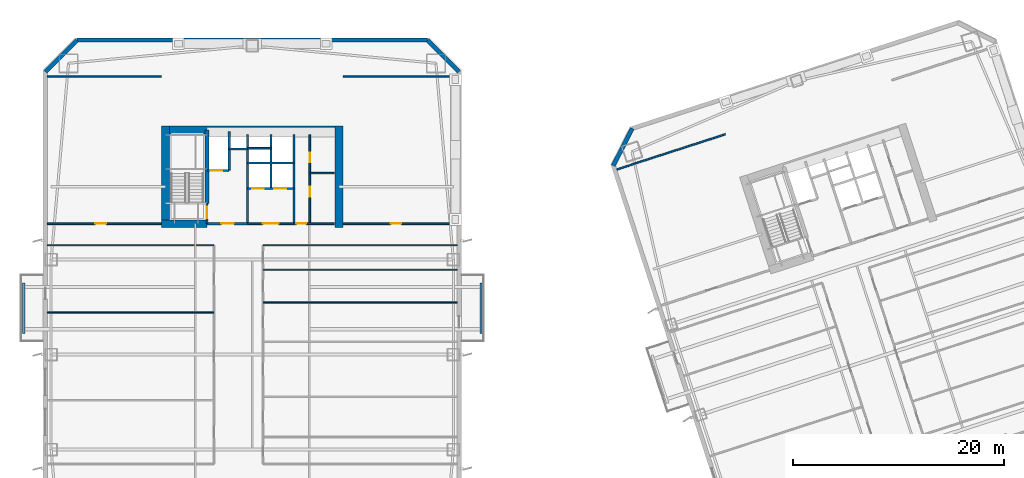
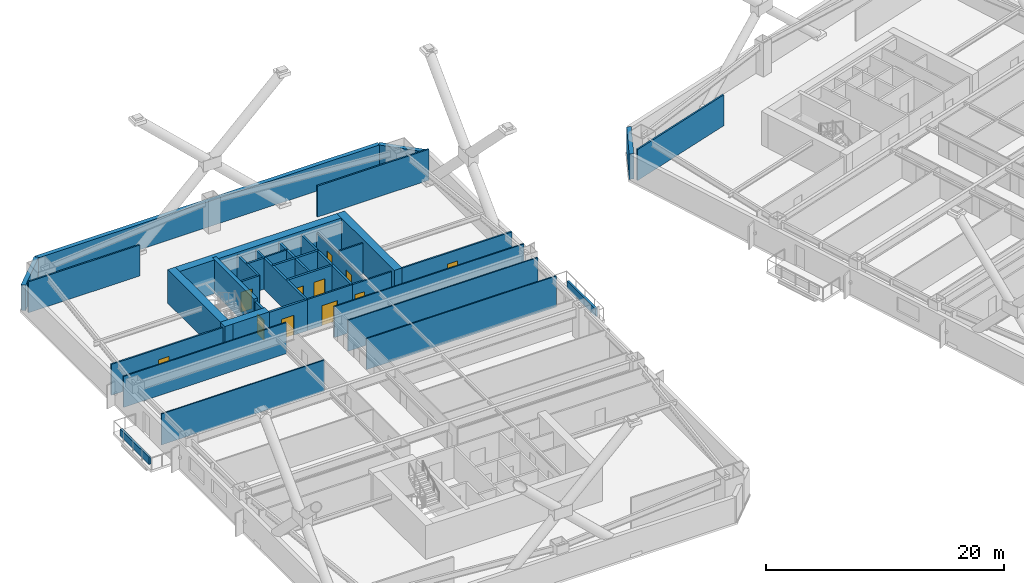
# One storey, part 6 of 18: 36 walls, 11 doors, 11 openings.
"""IFC4 building model written with IfcOpenShell, lengths in metres."""

import ifcopenshell
import ifcopenshell.guid

model = None  # the IFC model being written
_history = None  # IfcOwnerHistory: only IFC2X3 demands one
_inside = {}  # id of a spatial element -> (the spatial element, [elements in it])
_under = {}  # id of a project, library or spatial element -> (it, [spatial elements below it])
_declared = {}  # id of a project -> (the project, [libraries it declares])
_typed = {}  # id of a type object -> (the type object, [elements of that type])
_made_of = {}  # id of a material, layer set ... -> (it, [elements and type objects made of it])


def new_model(schema):
    """Start an empty IFC model of exactly this schema.

    Asked for "IFC4X3", IfcOpenShell would pick the latest addendum, in which some entities
    have other attributes; the version numbers below select the first issue.
    IFC2X3 requires an IfcOwnerHistory on every rooted entity: one is made here for all.
    """
    global model, _history
    if schema == "IFC4X3":
        model = ifcopenshell.file(schema_version=(4, 3, 0, 0))
    else:
        model = ifcopenshell.file(schema=schema)
    _inside.clear()
    _under.clear()
    _declared.clear()
    _typed.clear()
    _made_of.clear()
    _history = None
    if model.schema == "IFC2X3":
        org = make("IfcOrganization", Name="unknown")
        user = make(
            "IfcPersonAndOrganization",
            ThePerson=make("IfcPerson", FamilyName="unknown"),
            TheOrganization=org,
        )
        app = make(
            "IfcApplication",
            ApplicationDeveloper=org,
            Version="unknown",
            ApplicationFullName="unknown",
            ApplicationIdentifier="unknown",
        )
        _history = make(
            "IfcOwnerHistory",
            OwningUser=user,
            OwningApplication=app,
            ChangeAction="ADDED",
            CreationDate=0,
        )
    return model


def make(cls, **values):
    """One entity of the class cls with the attributes given. An attribute that is None is left unset."""
    return model.create_entity(
        cls, **{name: value for name, value in values.items() if value is not None}
    )


def rooted(cls, **values):
    """An entity with a GlobalId (a new one), such as an element, a storey or a relation."""
    return make(cls, GlobalId=ifcopenshell.guid.new(), OwnerHistory=_history, **values)


def si_unit(unit_type, name, prefix=None):
    """IfcSIUnit, for example si_unit("LENGTHUNIT", "METRE", prefix="MILLI")."""
    return make("IfcSIUnit", UnitType=unit_type, Prefix=prefix, Name=name)


def assignment(units):
    """IfcUnitAssignment: the units of a project."""
    return None if units is None else make("IfcUnitAssignment", Units=units)


def point(xyz):
    """IfcCartesianPoint."""
    return None if xyz is None else make("IfcCartesianPoint", Coordinates=xyz)


def direction(xyz):
    """IfcDirection."""
    return None if xyz is None else make("IfcDirection", DirectionRatios=xyz)


def frame(location, z_axis=None, x_axis=None):
    """IfcAxis2Placement3D, a coordinate frame: its origin and axes. An axis left out is left unset."""
    return make(
        "IfcAxis2Placement3D",
        Location=point(location),
        Axis=direction(z_axis),
        RefDirection=direction(x_axis),
    )


def frame_2d(location, x_axis=None):
    """IfcAxis2Placement2D, a coordinate frame in the plane: its origin and x axis."""
    return make(
        "IfcAxis2Placement2D", Location=point(location), RefDirection=direction(x_axis)
    )


def origin():
    """The frame at (0, 0, 0) with its axes left unset."""
    return frame((0.0, 0.0, 0.0))


def place(relative_to, where):
    """IfcLocalPlacement: puts the frame where relative to a parent placement (None: the world)."""
    return make(
        "IfcLocalPlacement", PlacementRelTo=relative_to, RelativePlacement=where
    )


def context(
    kind, dimensions, precision=None, world=None, true_north=None, identifier=None
):
    """IfcGeometricRepresentationContext, for example the 3D "Model" context."""
    return make(
        "IfcGeometricRepresentationContext",
        ContextIdentifier=identifier,
        ContextType=kind,
        CoordinateSpaceDimension=dimensions,
        Precision=precision,
        WorldCoordinateSystem=world,
        TrueNorth=true_north,
    )


def subcontext(parent, identifier, kind, view, scale=None):
    """IfcGeometricRepresentationSubContext, for example "Body" below "Model"."""
    return make(
        "IfcGeometricRepresentationSubContext",
        ContextIdentifier=identifier,
        ContextType=kind,
        ParentContext=parent,
        TargetScale=scale,
        TargetView=view,
    )


def project(units=None, contexts=None):
    """IfcProject with its units and contexts."""
    return rooted(
        "IfcProject",
        Name="project",
        RepresentationContexts=contexts,
        UnitsInContext=assignment(units),
    )


def spatial(cls, under=None, at=None, **own):
    """A site, building, storey or space (cls), placed at a placement, below another one or the project."""
    s = rooted(cls, ObjectPlacement=at, **own)
    if under is not None:
        _under.setdefault(under.id(), (under, []))[1].append(s)
    return s


def profile(cls, at=None, kind="AREA", **sizes):
    """A parametric profile (cls). Its sizes go by their IFC names, for example OverallWidth=200.0."""
    return make(cls, ProfileType=kind, Position=at, **sizes)


def rectangle(**sizes):
    """IfcRectangleProfileDef."""
    return profile("IfcRectangleProfileDef", **sizes)


def extrude(swept, where, along, depth):
    """IfcExtrudedAreaSolid: the profile swept, set in the frame where, extruded along a direction by depth."""
    return make(
        "IfcExtrudedAreaSolid",
        SweptArea=swept,
        Position=where,
        ExtrudedDirection=direction(along),
        Depth=depth,
    )


def shape(context_of_items, identifier, shape_type, items):
    """IfcShapeRepresentation: the items that make up one representation, for example the "Body"."""
    return make(
        "IfcShapeRepresentation",
        ContextOfItems=context_of_items,
        RepresentationIdentifier=identifier,
        RepresentationType=shape_type,
        Items=items,
    )


def material(Name=None, Category=None):
    """IfcMaterial."""
    return make("IfcMaterial", Name=Name, Category=Category)


def layer(
    of_material, thickness, ventilated=None, Name=None, Category=None, Priority=None
):
    """IfcMaterialLayer: one layer of a wall or slab, of a material (None: an air gap)."""
    return make(
        "IfcMaterialLayer",
        Material=of_material,
        LayerThickness=thickness,
        IsVentilated=ventilated,
        Name=Name,
        Category=Category,
        Priority=Priority,
    )


def layer_set(layers, Name=None):
    """IfcMaterialLayerSet."""
    return make("IfcMaterialLayerSet", MaterialLayers=layers, LayerSetName=Name)


def made_of(thing, what):
    """Note that an element or type object is made of a material, layer set ...; save() writes the relation."""
    if what is not None:
        _made_of.setdefault(what.id(), (what, []))[1].append(thing)
    return thing


def type_object(cls, material=None, **own):
    """A type object (cls), such as IfcWallType, which elements share."""
    return made_of(rooted(cls, **own), material)


def element(
    cls,
    number,
    at=None,
    inside=None,
    cuts=None,
    type_object=None,
    material=None,
    context=None,
    identifier="Body",
    shape_type=None,
    held_by="IfcProductDefinitionShape",
    body=None,
    shapes=None,
    **own,
):
    """One element of the class cls, such as IfcWall. Its Tag is "e" and its number.

    at: its placement. inside: the storey or other place that contains it. cuts: it is an
    opening in that element (IfcRelVoidsElement). A single representation is given by context,
    identifier, shape_type and body (its items); several are given by shapes. held_by: the class
    of the entity that holds the representations. save() writes the other relations.
    """
    e = rooted(cls, Tag="e%d" % number, ObjectPlacement=at, **own)
    if body is not None:
        shapes = [shape(context, identifier, shape_type, body)]
    if shapes is not None:
        e.Representation = make(held_by, Representations=shapes)
    if inside is not None:
        _inside.setdefault(inside.id(), (inside, []))[1].append(e)
    if cuts is not None:
        rooted(
            "IfcRelVoidsElement", RelatingBuildingElement=cuts, RelatedOpeningElement=e
        )
    if type_object is not None:
        _typed.setdefault(type_object.id(), (type_object, []))[1].append(e)
    return made_of(e, material)


def fill(opening, filler):
    """IfcRelFillsElement: the door or window that sits in an opening."""
    return rooted(
        "IfcRelFillsElement",
        RelatingOpeningElement=opening,
        RelatedBuildingElement=filler,
    )


def aggregate(whole, parts):
    """IfcRelAggregates: a whole, such as a stair, and the parts it consists of."""
    return rooted("IfcRelAggregates", RelatingObject=whole, RelatedObjects=parts)


def save(model, path):
    """Write the relations noted so far, then the file.

    IfcRelAggregates (storeys below a building ...), IfcRelContainedInSpatialStructure (elements
    in a storey), IfcRelDefinesByType, IfcRelAssociatesMaterial and IfcRelDeclares: one each for
    every whole, place, type object, material and project.
    """
    for whole, parts in _under.values():
        aggregate(whole, parts)
    for where, things in _inside.values():
        rooted(
            "IfcRelContainedInSpatialStructure",
            RelatedElements=things,
            RelatingStructure=where,
        )
    for kind, things in _typed.values():
        rooted("IfcRelDefinesByType", RelatedObjects=things, RelatingType=kind)
    for what, things in _made_of.values():
        rooted("IfcRelAssociatesMaterial", RelatedObjects=things, RelatingMaterial=what)
    for by, libraries in _declared.values():
        rooted("IfcRelDeclares", RelatingContext=by, RelatedDefinitions=libraries)
    model.write(path)


model = new_model("IFC4")

# Units and contexts
model_context = context("Model", 3, precision=1e-05, world=origin(), true_north=direction((0.0, 1.0)))
body_context = subcontext(model_context, "Body", "Model", "MODEL_VIEW")
ifc_project = project(units=[si_unit("LENGTHUNIT", "METRE"), si_unit("AREAUNIT", "SQUARE_METRE"), si_unit("VOLUMEUNIT", "CUBIC_METRE"), si_unit("PLANEANGLEUNIT", "RADIAN"), si_unit("MASSUNIT", "GRAM", prefix="KILO")], contexts=[model_context])

# Site, building, storey
site_placement = place(None, origin())
site = spatial("IfcSite", under=ifc_project, at=site_placement, CompositionType="ELEMENT")
building_placement = place(site_placement, origin())
building = spatial("IfcBuilding", under=site, at=building_placement, Name="Qiaolan Cultural Towers", CompositionType="ELEMENT")
storey_placement = place(building_placement, frame((0.0, 0.0, 57.5)))
storey = spatial("IfcBuildingStorey", under=building, at=storey_placement, Name="L13", CompositionType="ELEMENT", Elevation=57.5)

# Walls
ifc_material_1 = material(Name="Concrete C50", Category="concrete")
ifc_layer_1 = layer(ifc_material_1, 0.35009765625)
ifc_layer_set_1 = layer_set([ifc_layer_1], Name="Concrete C50")
wall_type_1 = type_object("IfcWallType", Name="WL-CORE-350", PredefinedType="SHEAR", material=ifc_layer_set_1)
wall_1_placement = place(storey_placement, frame((25.719970703125, 48.300048828125, 0.0), z_axis=(0.0, 0.0, 1.0), x_axis=(0.0, 1.0, 0.0)))
element("IfcWall", 1, at=wall_1_placement, inside=storey, type_object=wall_type_1, Name="L13 T1-CN Stair Core Dividing Web", PredefinedType="SHEAR", context=body_context, shape_type="SweptSolid", body=[
    extrude(rectangle(XDim=6.97998046875, YDim=0.35009765625, at=frame_2d((3.489990234375, 0.0))), origin(), (0.0, 0.0, 1.0), 3.449951171875),
])
ifc_material_2 = material(Name="Concrete C60", Category="concrete")
ifc_layer_2 = layer(ifc_material_2, 0.75)
ifc_layer_set_2 = layer_set([ifc_layer_2], Name="Concrete C60")
wall_type_2 = type_object("IfcWallType", Name="WL-CORE-750", PredefinedType="SHEAR", material=ifc_layer_set_2)
wall_2_placement = place(storey_placement, frame((21.425048828125, 55.280029296875, 0.0), z_axis=(0.0, 0.0, 1.0), x_axis=(1.0, 0.0, 0.0)))
element("IfcWall", 2, at=wall_2_placement, inside=storey, type_object=wall_type_2, Name="L13 T1-CN Outer Core Shear Wall", PredefinedType="SHEAR", context=body_context, shape_type="SweptSolid", body=[
    extrude(rectangle(XDim=17.14990234375, YDim=0.75, at=frame_2d((8.574951171875, 0.0))), origin(), (0.0, 0.0, 1.0), 3.449951171875),
])
for number, where, z_axis, x_axis, name in (
    (3, (21.800048828125, 46.02490234375, 0.0), (0.0, 0.0, 1.0), (0.0, 1.0, 0.0), "L13 T1-CN West Core Shear Wall"),
    (4, (38.199951171875, 46.02490234375, 0.0), (0.0, 0.0, 1.0), (0.0, 1.0, 0.0), "L13 T1-CN East Core Shear Wall"),
):
    element("IfcWall", number, at=place(storey_placement, frame(where, z_axis=z_axis, x_axis=x_axis)), inside=storey, type_object=wall_type_2, Name=name, PredefinedType="SHEAR", context=body_context, shape_type="SweptSolid", body=[
        extrude(rectangle(XDim=9.630126953125, YDim=0.75, at=frame_2d((4.81494140625, 0.0))), origin(), (0.0, 0.0, 1.0), 3.449951171875),
    ])
wall_3_placement = place(storey_placement, frame((21.425048828125, 46.39990234375, 0.0), z_axis=(0.0, 0.0, 1.0), x_axis=(1.0, 0.0, 0.0)))
element("IfcWall", 5, at=wall_3_placement, inside=storey, type_object=wall_type_2, Name="L13 T1-CN Stair Front Shear Wall", PredefinedType="SHEAR", context=body_context, shape_type="SweptSolid", body=[
    extrude(rectangle(XDim=4.294921875, YDim=0.75, at=frame_2d((2.1474609375, 0.0))), origin(), (0.0, 0.0, 1.0), 3.449951171875),
])
ifc_material_3 = material(Name="Precast Concrete C50 Honed Stone Pier", Category="masonry")
ifc_layer_3 = layer(ifc_material_3, 0.39990234375)
ifc_layer_set_3 = layer_set([ifc_layer_3], Name="Precast Concrete C50 Honed Stone Pier")
wall_type_3 = type_object("IfcWallType", Name="WL-EXT-PIER-400", PredefinedType="SOLIDWALL", material=ifc_layer_set_3)
wall_4_placement = place(storey_placement, frame((10.39990234375, 60.800048828125, 0.0), z_axis=(0.0, 0.0, 1.0), x_axis=(0.707106781187, 0.707106781187, 0.0)))
element("IfcWall", 6, at=wall_4_placement, inside=storey, type_object=wall_type_3, Name="L13 West Tower Precast Pier Facade Wall F2", PredefinedType="SOLIDWALL", context=body_context, shape_type="SweptSolid", body=[
    extrude(rectangle(XDim=4.24267578125, YDim=0.39990234375, at=frame_2d((2.121337890625, 0.0))), origin(), (0.0, 0.0, 1.0), 2.610107421875),
])
wall_5_placement = place(storey_placement, frame((13.39990234375, 63.800048828125, 0.0), z_axis=(0.0, 0.0, 1.0), x_axis=(1.0, 0.0, 0.0)))
element("IfcWall", 7, at=wall_5_placement, inside=storey, type_object=wall_type_3, Name="L13 West Tower Precast Pier Facade Wall F3", PredefinedType="SOLIDWALL", context=body_context, shape_type="SweptSolid", body=[
    extrude(rectangle(XDim=33.2001953125, YDim=0.39990234375, at=frame_2d((16.60009765625, 0.0))), origin(), (0.0, 0.0, 1.0), 2.610107421875),
])
wall_6_placement = place(storey_placement, frame((46.60009765625, 63.800048828125, 0.0), z_axis=(0.0, 0.0, 1.0), x_axis=(0.707106781187, -0.707106781187, 0.0)))
element("IfcWall", 8, at=wall_6_placement, inside=storey, type_object=wall_type_3, Name="L13 West Tower Precast Pier Facade Wall F4", PredefinedType="SOLIDWALL", context=body_context, shape_type="SweptSolid", body=[
    extrude(rectangle(XDim=4.24267578125, YDim=0.39990234375, at=frame_2d((2.121337890625, 0.0))), origin(), (0.0, 0.0, 1.0), 2.610107421875),
])
wall_7_placement = place(storey_placement, frame((64.20458984375, 51.905029296875, 0.0), z_axis=(0.0, 0.0, 1.0), x_axis=(0.453958106755, 0.891023028497, 0.0)))
element("IfcWall", 9, at=wall_7_placement, inside=storey, type_object=wall_type_3, Name="L13 East Tower Precast Pier Facade Wall F2", PredefinedType="SOLIDWALL", context=body_context, shape_type="SweptSolid", body=[
    extrude(rectangle(XDim=3.9599609375, YDim=0.39990234375, at=frame_2d((1.97998046875, 0.0))), origin(), (0.0, 0.0, 1.0), 2.610107421875),
])

# Wall, opening, door
ifc_material_4 = material(Name="Concrete C35 Fire Wall", Category="concrete")
ifc_layer_4 = layer(ifc_material_4, 0.199951171875)
ifc_layer_set_4 = layer_set([ifc_layer_4], Name="Concrete C35 Fire Wall")
wall_type_4 = type_object("IfcWallType", Name="WL-FIRE-200", PredefinedType="PARTITIONING", material=ifc_layer_set_4)
wall_8_placement = place(storey_placement, frame((25.719970703125, 46.39990234375, 0.0), z_axis=(0.0, 0.0, 1.0), x_axis=(0.0, 1.0, 0.0)))
wall_8 = element("IfcWall", 10, at=wall_8_placement, inside=storey, type_object=wall_type_4, Name="L13 T1-CN Smokeproof Stair Entry Wall", PredefinedType="PARTITIONING", context=body_context, shape_type="SweptSolid", body=[
    extrude(rectangle(XDim=1.900146484375, YDim=0.199951171875, at=frame_2d((0.9501953125, 0.0))), origin(), (0.0, 0.0, 1.0), 3.175048828125),
])
opening_1_placement = place(wall_8_placement, frame((0.52001953125, 0.0, 0.0)))
opening_1 = element("IfcOpeningElement", 11, at=opening_1_placement, cuts=wall_8, Name="Opening FD-04", PredefinedType="OPENING", context=body_context, shape_type="SweptSolid", body=[
    extrude(rectangle(XDim=1.10009765625, YDim=2.050048828125, at=frame_2d((0.550048828125, 1.02490234375))), frame((0.0, 0.10986328125, 0.0), z_axis=(0.0, -1.0, 0.0), x_axis=(1.0, 0.0, 0.0)), (0.0, 0.0, 1.0), 0.219970703125),
])
ifc_material_5 = material(Name="Galvanized Steel Command Fire Door", Category="steel")
door_type_1 = type_object("IfcDoorType", Name="DR-FD90-1100", OperationType="NOTDEFINED", PredefinedType="DOOR", material=ifc_material_5)
door_1_placement = place(opening_1_placement, origin())
door_1 = element("IfcDoor", 12, at=door_1_placement, inside=storey, type_object=door_type_1, Name="L13 ST-W2 Smokeproof Stair Fire Door", OperationType="SINGLE_SWING_LEFT", OverallHeight=2.050048828125, OverallWidth=1.10009765625, PredefinedType="DOOR", context=body_context, shape_type="SweptSolid", body=[
    extrude(rectangle(XDim=1.10009765625, YDim=2.050048828125, at=frame_2d((0.550048828125, 1.02490234375))), frame((0.0, 0.02490234375, 0.0), z_axis=(0.0, -1.0, 0.0), x_axis=(1.0, 0.0, 0.0)), (0.0, 0.0, 1.0), 0.050048828125),
])
fill(opening_1, door_1)

# Wall
wall_9_placement = place(storey_placement, frame((29.550048828125, 46.39990234375, 0.0), z_axis=(0.0, 0.0, 1.0), x_axis=(0.0, 1.0, 0.0)))
element("IfcWall", 13, at=wall_9_placement, inside=storey, type_object=wall_type_4, Name="L13 T1-CN Firefighting Zone Wall", PredefinedType="PARTITIONING", context=body_context, shape_type="SweptSolid", body=[
    extrude(rectangle(XDim=8.43017578125, YDim=0.199951171875, at=frame_2d((4.215087890625, 0.0))), origin(), (0.0, 0.0, 1.0), 3.175048828125),
])

# Wall, opening, door
wall_10_placement = place(storey_placement, frame((25.719970703125, 46.39990234375, 0.0), z_axis=(0.0, 0.0, 1.0), x_axis=(1.0, 0.0, 0.0)))
wall_10 = element("IfcWall", 14, at=wall_10_placement, inside=storey, type_object=wall_type_4, Name="L13 T1-CN Firefighting Lobby Front Wall", PredefinedType="PARTITIONING", context=body_context, shape_type="SweptSolid", body=[
    extrude(rectangle(XDim=3.830078125, YDim=0.199951171875, at=frame_2d((1.9150390625, 0.0))), origin(), (0.0, 0.0, 1.0), 3.175048828125),
])
opening_2_placement = place(wall_10_placement, frame((1.35009765625, 0.0, 0.0)))
opening_2 = element("IfcOpeningElement", 15, at=opening_2_placement, cuts=wall_10, Name="Opening FD-03", PredefinedType="OPENING", context=body_context, shape_type="SweptSolid", body=[
    extrude(rectangle(XDim=1.199951171875, YDim=2.050048828125, at=frame_2d((0.60009765625, 1.02490234375))), frame((0.0, 0.10986328125, 0.0), z_axis=(0.0, -1.0, 0.0), x_axis=(1.0, 0.0, 0.0)), (0.0, 0.0, 1.0), 0.219970703125),
])
ifc_material_6 = material(Name="Galvanized Steel Smokeproof Lobby Fire Door", Category="steel")
door_type_2 = type_object("IfcDoorType", Name="DR-FD90-1200", OperationType="NOTDEFINED", PredefinedType="DOOR", material=ifc_material_6)
door_2_placement = place(opening_2_placement, origin())
door_2 = element("IfcDoor", 16, at=door_2_placement, inside=storey, type_object=door_type_2, Name="L13 FFL-W2 Firefighting Lobby Fire Door", OperationType="SINGLE_SWING_LEFT", OverallHeight=2.050048828125, OverallWidth=1.199951171875, PredefinedType="DOOR", context=body_context, shape_type="SweptSolid", body=[
    extrude(rectangle(XDim=1.199951171875, YDim=2.050048828125, at=frame_2d((0.60009765625, 1.02490234375))), frame((0.0, 0.02490234375, 0.0), z_axis=(0.0, -1.0, 0.0), x_axis=(1.0, 0.0, 0.0)), (0.0, 0.0, 1.0), 0.050048828125),
])
fill(opening_2, door_2)

wall_11_placement = place(storey_placement, frame((25.719970703125, 51.449951171875, 0.0), z_axis=(0.0, 0.0, 1.0), x_axis=(1.0, 0.0, 0.0)))
wall_11 = element("IfcWall", 17, at=wall_11_placement, inside=storey, type_object=wall_type_4, Name="L13 T1-CN Firefighting Shaft Front Wall", PredefinedType="PARTITIONING", context=body_context, shape_type="SweptSolid", body=[
    extrude(rectangle(XDim=2.10009765625, YDim=0.199951171875, at=frame_2d((1.050048828125, 0.0))), origin(), (0.0, 0.0, 1.0), 3.175048828125),
])
opening_3_placement = place(wall_11_placement, frame((0.35009765625, 0.0, 0.0)))
opening_3 = element("IfcOpeningElement", 18, at=opening_3_placement, cuts=wall_11, Name="Opening LD-01", PredefinedType="OPENING", context=body_context, shape_type="SweptSolid", body=[
    extrude(rectangle(XDim=1.10009765625, YDim=2.050048828125, at=frame_2d((0.550048828125, 1.02490234375))), frame((0.0, 0.10986328125, 0.0), z_axis=(0.0, -1.0, 0.0), x_axis=(1.0, 0.0, 0.0)), (0.0, 0.0, 1.0), 0.219970703125),
])
ifc_material_7 = material(Name="Brushed Stainless Steel S30408 Centre-Parting Lift Landing Door", Category="steel")
door_type_3 = type_object("IfcDoorType", Name="DR-LIFT-1100", OperationType="NOTDEFINED", PredefinedType="DOOR", material=ifc_material_7)
door_3_placement = place(opening_3_placement, origin())
door_3 = element("IfcDoor", 19, at=door_3_placement, inside=storey, type_object=door_type_3, Name="L13 FFL-W2 Firefighting Lift Landing Door", OperationType="DOUBLE_DOOR_SLIDING", OverallHeight=2.050048828125, OverallWidth=1.10009765625, PredefinedType="DOOR", context=body_context, shape_type="SweptSolid", body=[
    extrude(rectangle(XDim=1.10009765625, YDim=2.050048828125, at=frame_2d((0.550048828125, 1.02490234375))), frame((0.0, 0.02490234375, 0.0), z_axis=(0.0, -1.0, 0.0), x_axis=(1.0, 0.0, 0.0)), (0.0, 0.0, 1.0), 0.050048828125),
])
fill(opening_3, door_3)

# Walls
wall_12_placement = place(storey_placement, frame((27.820068359375, 51.449951171875, 0.0), z_axis=(0.0, 0.0, 1.0), x_axis=(0.0, 1.0, 0.0)))
element("IfcWall", 20, at=wall_12_placement, inside=storey, type_object=wall_type_4, Name="L13 T1-CN Firefighting Hoistway East Wall", PredefinedType="PARTITIONING", context=body_context, shape_type="SweptSolid", body=[
    extrude(rectangle(XDim=3.699951171875, YDim=0.199951171875, at=frame_2d((1.85009765625, 0.0))), origin(), (0.0, 0.0, 1.0), 3.175048828125),
])
wall_13_placement = place(storey_placement, frame((27.820068359375, 53.47998046875, 0.0), z_axis=(0.0, 0.0, 1.0), x_axis=(1.0, 0.0, 0.0)))
element("IfcWall", 21, at=wall_13_placement, inside=storey, type_object=wall_type_4, Name="L13 T1-CN Pressurization Shaft Front Wall", PredefinedType="PARTITIONING", context=body_context, shape_type="SweptSolid", body=[
    extrude(rectangle(XDim=1.72998046875, YDim=0.199951171875, at=frame_2d((0.864990234375, 0.0))), origin(), (0.0, 0.0, 1.0), 3.175048828125),
])
wall_14_placement = place(storey_placement, frame((33.949951171875, 46.39990234375, 0.0), z_axis=(0.0, 0.0, 1.0), x_axis=(0.0, 1.0, 0.0)))
element("IfcWall", 22, at=wall_14_placement, inside=storey, type_object=wall_type_4, Name="L13 T1-CN Lift Core East Wall", PredefinedType="PARTITIONING", context=body_context, shape_type="SweptSolid", body=[
    extrude(rectangle(XDim=8.43017578125, YDim=0.199951171875, at=frame_2d((4.215087890625, 0.0))), origin(), (0.0, 0.0, 1.0), 3.175048828125),
])

# Wall, openings, doors
wall_15_placement = place(storey_placement, frame((29.550048828125, 49.719970703125, 0.0), z_axis=(0.0, 0.0, 1.0), x_axis=(1.0, 0.0, 0.0)))
wall_15 = element("IfcWall", 23, at=wall_15_placement, inside=storey, type_object=wall_type_4, Name="L13 T1-CN Passenger Lift Shaft Front Wall", PredefinedType="PARTITIONING", context=body_context, shape_type="SweptSolid", body=[
    extrude(rectangle(XDim=4.39990234375, YDim=0.199951171875, at=frame_2d((2.199951171875, 0.0))), origin(), (0.0, 0.0, 1.0), 3.175048828125),
])
opening_4_placement = place(wall_15_placement, frame((0.449951171875, 0.0, 0.0)))
opening_4 = element("IfcOpeningElement", 24, at=opening_4_placement, cuts=wall_15, Name="Opening LD-01", PredefinedType="OPENING", context=body_context, shape_type="SweptSolid", body=[
    extrude(rectangle(XDim=1.10009765625, YDim=2.050048828125, at=frame_2d((0.550048828125, 1.02490234375))), frame((0.0, 0.10986328125, 0.0), z_axis=(0.0, -1.0, 0.0), x_axis=(1.0, 0.0, 0.0)), (0.0, 0.0, 1.0), 0.219970703125),
])
opening_5_placement = place(wall_15_placement, frame((2.550048828125, 0.0, 0.0)))
opening_5 = element("IfcOpeningElement", 25, at=opening_5_placement, cuts=wall_15, Name="Opening LD-01", PredefinedType="OPENING", context=body_context, shape_type="SweptSolid", body=[
    extrude(rectangle(XDim=1.10009765625, YDim=2.050048828125, at=frame_2d((0.550048828125, 1.02490234375))), frame((0.0, 0.10986328125, 0.0), z_axis=(0.0, -1.0, 0.0), x_axis=(1.0, 0.0, 0.0)), (0.0, 0.0, 1.0), 0.219970703125),
])
door_4_placement = place(opening_4_placement, origin())
door_4 = element("IfcDoor", 26, at=door_4_placement, inside=storey, type_object=door_type_3, Name="L13 Passenger Lift 1 Landing Door", OperationType="DOUBLE_DOOR_SLIDING", OverallHeight=2.050048828125, OverallWidth=1.10009765625, PredefinedType="DOOR", context=body_context, shape_type="SweptSolid", body=[
    extrude(rectangle(XDim=1.10009765625, YDim=2.050048828125, at=frame_2d((0.550048828125, 1.02490234375))), frame((0.0, 0.02490234375, 0.0), z_axis=(0.0, -1.0, 0.0), x_axis=(1.0, 0.0, 0.0)), (0.0, 0.0, 1.0), 0.050048828125),
])
fill(opening_4, door_4)
door_5_placement = place(opening_5_placement, origin())
door_5 = element("IfcDoor", 27, at=door_5_placement, inside=storey, type_object=door_type_3, Name="L13 Passenger Lift 2 Landing Door", OperationType="DOUBLE_DOOR_SLIDING", OverallHeight=2.050048828125, OverallWidth=1.10009765625, PredefinedType="DOOR", context=body_context, shape_type="SweptSolid", body=[
    extrude(rectangle(XDim=1.10009765625, YDim=2.050048828125, at=frame_2d((0.550048828125, 1.02490234375))), frame((0.0, 0.02490234375, 0.0), z_axis=(0.0, -1.0, 0.0), x_axis=(1.0, 0.0, 0.0)), (0.0, 0.0, 1.0), 0.050048828125),
])
fill(opening_5, door_5)

# Walls
wall_16_placement = place(storey_placement, frame((31.780029296875, 49.719970703125, 0.0), z_axis=(0.0, 0.0, 1.0), x_axis=(0.0, 1.0, 0.0)))
element("IfcWall", 28, at=wall_16_placement, inside=storey, type_object=wall_type_4, Name="L13 T1-CN Lift Shaft Divider Wall", PredefinedType="PARTITIONING", context=body_context, shape_type="SweptSolid", body=[
    extrude(rectangle(XDim=5.110107421875, YDim=0.199951171875, at=frame_2d((2.55517578125, 0.0))), origin(), (0.0, 0.0, 1.0), 3.175048828125),
])
wall_17_placement = place(storey_placement, frame((29.550048828125, 52.14990234375, 0.0), z_axis=(0.0, 0.0, 1.0), x_axis=(1.0, 0.0, 0.0)))
element("IfcWall", 29, at=wall_17_placement, inside=storey, type_object=wall_type_4, Name="L13 T1-CN Passenger Lift Shaft Back Wall", PredefinedType="PARTITIONING", context=body_context, shape_type="SweptSolid", body=[
    extrude(rectangle(XDim=4.39990234375, YDim=0.199951171875, at=frame_2d((2.199951171875, 0.0))), origin(), (0.0, 0.0, 1.0), 3.175048828125),
])
ifc_material_8 = material(Name="Gypsum Stud Acoustic Partition", Category="gypsum")
ifc_layer_5 = layer(ifc_material_8, 0.1201171875)
ifc_layer_set_5 = layer_set([ifc_layer_5], Name="Gypsum Stud Acoustic Partition")
wall_type_5 = type_object("IfcWallType", Name="WL-PART-120", PredefinedType="PARTITIONING", material=ifc_layer_set_5)
wall_18_placement = place(storey_placement, frame((10.60009765625, 44.35009765625, 0.0), z_axis=(0.0, 0.0, 1.0), x_axis=(1.0, 0.0, 0.0)))
element("IfcWall", 30, at=wall_18_placement, inside=storey, type_object=wall_type_5, Name="L13 T1 North Corridor Left Wall", PredefinedType="PARTITIONING", context=body_context, shape_type="SweptSolid", body=[
    extrude(rectangle(XDim=15.77490234375, YDim=0.1201171875, at=frame_2d((7.887451171875, 0.0))), origin(), (0.0, 0.0, 1.0), 3.175048828125),
])
wall_19_placement = place(storey_placement, frame((31.02490234375, 44.35009765625, 0.0), z_axis=(0.0, 0.0, 1.0), x_axis=(1.0, 0.0, 0.0)))
element("IfcWall", 31, at=wall_19_placement, inside=storey, type_object=wall_type_5, Name="L13 T1 North Corridor Right Wall", PredefinedType="PARTITIONING", context=body_context, shape_type="SweptSolid", body=[
    extrude(rectangle(XDim=18.375, YDim=0.1201171875, at=frame_2d((9.1875, 0.0))), origin(), (0.0, 0.0, 1.0), 3.175048828125),
])
wall_20_placement = place(storey_placement, frame((10.60009765625, 38.0, 0.0), z_axis=(0.0, 0.0, 1.0), x_axis=(1.0, 0.0, 0.0)))
element("IfcWall", 32, at=wall_20_placement, inside=storey, type_object=wall_type_5, Name="L13 T1 West Partition 2", PredefinedType="PARTITIONING", context=body_context, shape_type="SweptSolid", body=[
    extrude(rectangle(XDim=15.77490234375, YDim=0.1201171875, at=frame_2d((7.887451171875, 0.0))), origin(), (0.0, 0.0, 1.0), 3.175048828125),
])
for number, where, z_axis, x_axis, name in (
    (33, (31.02490234375, 38.93603515625, 0.0), (0.0, 0.0, 1.0), (1.0, 0.0, 0.0), "L13 T1 East Partition 4"),
    (34, (31.02490234375, 42.041015625, 0.0), (0.0, 0.0, 1.0), (1.0, 0.0, 0.0), "L13 T1 East Partition 5"),
):
    element("IfcWall", number, at=place(storey_placement, frame(where, z_axis=z_axis, x_axis=x_axis)), inside=storey, type_object=wall_type_5, Name=name, PredefinedType="PARTITIONING", context=body_context, shape_type="SweptSolid", body=[
        extrude(rectangle(XDim=18.375, YDim=0.1201171875, at=frame_2d((9.1875, 0.0))), origin(), (0.0, 0.0, 1.0), 3.175048828125),
    ])

# Wall, opening, door
ifc_material_9 = material(Name="Autoclaved Aerated Concrete Block B06", Category="concrete")
ifc_layer_6 = layer(ifc_material_9, 0.14990234375)
ifc_layer_set_6 = layer_set([ifc_layer_6], Name="Autoclaved Aerated Concrete Block B06")
wall_type_6 = type_object("IfcWallType", Name="WL-PART-150", PredefinedType="PARTITIONING", material=ifc_layer_set_6)
wall_21_placement = place(storey_placement, frame((29.550048828125, 46.39990234375, 0.0), z_axis=(0.0, 0.0, 1.0), x_axis=(1.0, 0.0, 0.0)))
wall_21 = element("IfcWall", 35, at=wall_21_placement, inside=storey, type_object=wall_type_6, Name="L13 T1-CN Passenger Lift Lobby Front Wall", PredefinedType="PARTITIONING", context=body_context, shape_type="SweptSolid", body=[
    extrude(rectangle(XDim=4.39990234375, YDim=0.14990234375, at=frame_2d((2.199951171875, 0.0))), origin(), (0.0, 0.0, 1.0), 3.175048828125),
])
opening_6_placement = place(wall_21_placement, frame((1.449951171875, 0.0, 0.0)))
opening_6 = element("IfcOpeningElement", 36, at=opening_6_placement, cuts=wall_21, Name="Opening FD-05", PredefinedType="OPENING", context=body_context, shape_type="SweptSolid", body=[
    extrude(rectangle(XDim=1.5, YDim=2.050048828125, at=frame_2d((0.75, 1.02490234375))), frame((0.0, 0.0849609375, 0.0), z_axis=(0.0, -1.0, 0.0), x_axis=(1.0, 0.0, 0.0)), (0.0, 0.0, 1.0), 0.169921875),
])
ifc_material_10 = material(Name="Painted Steel Lift Lobby Fire Door", Category="steel")
door_type_4 = type_object("IfcDoorType", Name="DR-FD60-1500", OperationType="NOTDEFINED", PredefinedType="DOOR", material=ifc_material_10)
door_6_placement = place(opening_6_placement, origin())
door_6 = element("IfcDoor", 37, at=door_6_placement, inside=storey, type_object=door_type_4, Name="L13 Passenger Lift Lobby Entrance", OperationType="SINGLE_SWING_LEFT", OverallHeight=2.050048828125, OverallWidth=1.5, PredefinedType="DOOR", context=body_context, shape_type="SweptSolid", body=[
    extrude(rectangle(XDim=1.5, YDim=2.050048828125, at=frame_2d((0.75, 1.02490234375))), frame((0.0, 0.02490234375, 0.0), z_axis=(0.0, -1.0, 0.0), x_axis=(1.0, 0.0, 0.0)), (0.0, 0.0, 1.0), 0.050048828125),
])
fill(opening_6, door_6)

# Wall
wall_22_placement = place(storey_placement, frame((29.550048828125, 53.550048828125, 0.0), z_axis=(0.0, 0.0, 1.0), x_axis=(1.0, 0.0, 0.0)))
element("IfcWall", 38, at=wall_22_placement, inside=storey, type_object=wall_type_6, Name="L13 T1-CN Core Rear Riser Split", PredefinedType="PARTITIONING", context=body_context, shape_type="SweptSolid", body=[
    extrude(rectangle(XDim=2.22998046875, YDim=0.14990234375, at=frame_2d((1.114990234375, 0.0))), origin(), (0.0, 0.0, 1.0), 3.175048828125),
])

# Wall, opening, door
wall_23_placement = place(storey_placement, frame((33.949951171875, 46.39990234375, 0.0), z_axis=(0.0, 0.0, 1.0), x_axis=(1.0, 0.0, 0.0)))
wall_23 = element("IfcWall", 39, at=wall_23_placement, inside=storey, type_object=wall_type_6, Name="L13 T1-CN Sanitary Core Front Wall", PredefinedType="PARTITIONING", context=body_context, shape_type="SweptSolid", body=[
    extrude(rectangle(XDim=3.800048828125, YDim=0.14990234375, at=frame_2d((1.89990234375, 0.0))), origin(), (0.0, 0.0, 1.0), 3.175048828125),
])
opening_7_placement = place(wall_23_placement, frame((0.219970703125, 0.0, 0.0)))
opening_7 = element("IfcOpeningElement", 40, at=opening_7_placement, cuts=wall_23, Name="Opening ID-05", PredefinedType="OPENING", context=body_context, shape_type="SweptSolid", body=[
    extrude(rectangle(XDim=0.949951171875, YDim=2.050048828125, at=frame_2d((0.47509765625, 1.02490234375))), frame((0.0, 0.0849609375, 0.0), z_axis=(0.0, -1.0, 0.0), x_axis=(1.0, 0.0, 0.0)), (0.0, 0.0, 1.0), 0.169921875),
])
ifc_material_11 = material(Name="Fire-Rated Laminate Accessible Core Door", Category="timber")
door_type_5 = type_object("IfcDoorType", Name="DR-INT-950", OperationType="NOTDEFINED", PredefinedType="DOOR", material=ifc_material_11)
door_7_placement = place(opening_7_placement, origin())
door_7 = element("IfcDoor", 41, at=door_7_placement, inside=storey, type_object=door_type_5, Name="L13 Sanitary Lobby Door", OperationType="SINGLE_SWING_LEFT", OverallHeight=2.050048828125, OverallWidth=0.949951171875, PredefinedType="DOOR", context=body_context, shape_type="SweptSolid", body=[
    extrude(rectangle(XDim=0.949951171875, YDim=2.050048828125, at=frame_2d((0.47509765625, 1.02490234375))), frame((0.0, 0.02490234375, 0.0), z_axis=(0.0, -1.0, 0.0), x_axis=(1.0, 0.0, 0.0)), (0.0, 0.0, 1.0), 0.050048828125),
])
fill(opening_7, door_7)

# Wall, openings, doors
wall_24_placement = place(storey_placement, frame((35.449951171875, 46.39990234375, 0.0), z_axis=(0.0, 0.0, 1.0), x_axis=(0.0, 1.0, 0.0)))
wall_24 = element("IfcWall", 42, at=wall_24_placement, inside=storey, type_object=wall_type_6, Name="L13 T1-CN Washroom Split Wall", PredefinedType="PARTITIONING", context=body_context, shape_type="SweptSolid", body=[
    extrude(rectangle(XDim=8.43017578125, YDim=0.14990234375, at=frame_2d((4.215087890625, 0.0))), origin(), (0.0, 0.0, 1.0), 2.81494140625),
])
opening_8_placement = place(wall_24_placement, frame((2.550048828125, 0.0, 0.0)))
opening_8 = element("IfcOpeningElement", 43, at=opening_8_placement, cuts=wall_24, Name="Opening ID-05", PredefinedType="OPENING", context=body_context, shape_type="SweptSolid", body=[
    extrude(rectangle(XDim=0.949951171875, YDim=2.050048828125, at=frame_2d((0.47509765625, 1.02490234375))), frame((0.0, 0.0849609375, 0.0), z_axis=(0.0, -1.0, 0.0), x_axis=(1.0, 0.0, 0.0)), (0.0, 0.0, 1.0), 0.169921875),
])
opening_9_placement = place(wall_24_placement, frame((5.800048828125, 0.0, 0.0)))
opening_9 = element("IfcOpeningElement", 44, at=opening_9_placement, cuts=wall_24, Name="Opening ID-06", PredefinedType="OPENING", context=body_context, shape_type="SweptSolid", body=[
    extrude(rectangle(XDim=0.89990234375, YDim=2.050048828125, at=frame_2d((0.449951171875, 1.02490234375))), frame((0.0, 0.0849609375, 0.0), z_axis=(0.0, -1.0, 0.0), x_axis=(1.0, 0.0, 0.0)), (0.0, 0.0, 1.0), 0.169921875),
])
ifc_material_12 = material(Name="Fire-Rated Laminate Core Service Door", Category="timber")
door_type_6 = type_object("IfcDoorType", Name="DR-INT-900", OperationType="NOTDEFINED", PredefinedType="DOOR", material=ifc_material_12)
door_8_placement = place(opening_9_placement, origin())
door_8 = element("IfcDoor", 45, at=door_8_placement, inside=storey, type_object=door_type_6, Name="L13 First-Aid Room Door", OperationType="SINGLE_SWING_RIGHT", OverallHeight=2.050048828125, OverallWidth=0.89990234375, PredefinedType="DOOR", context=body_context, shape_type="SweptSolid", body=[
    extrude(rectangle(XDim=0.89990234375, YDim=2.050048828125, at=frame_2d((0.449951171875, 1.02490234375))), frame((0.0, 0.02490234375, 0.0), z_axis=(0.0, -1.0, 0.0), x_axis=(1.0, 0.0, 0.0)), (0.0, 0.0, 1.0), 0.050048828125),
])
fill(opening_9, door_8)
door_9_placement = place(opening_8_placement, origin())
door_9 = element("IfcDoor", 46, at=door_9_placement, inside=storey, type_object=door_type_5, Name="L13 Accessible Washroom Door", OperationType="SINGLE_SWING_LEFT", OverallHeight=2.050048828125, OverallWidth=0.949951171875, PredefinedType="DOOR", context=body_context, shape_type="SweptSolid", body=[
    extrude(rectangle(XDim=0.949951171875, YDim=2.050048828125, at=frame_2d((0.47509765625, 1.02490234375))), frame((0.0, 0.02490234375, 0.0), z_axis=(0.0, -1.0, 0.0), x_axis=(1.0, 0.0, 0.0)), (0.0, 0.0, 1.0), 0.050048828125),
])
fill(opening_8, door_9)

# Walls
wall_25_placement = place(storey_placement, frame((35.449951171875, 51.199951171875, 0.0), z_axis=(0.0, 0.0, 1.0), x_axis=(1.0, 0.0, 0.0)))
element("IfcWall", 47, at=wall_25_placement, inside=storey, type_object=wall_type_6, Name="L13 T1-CN First-Aid Wall", PredefinedType="PARTITIONING", context=body_context, shape_type="SweptSolid", body=[
    extrude(rectangle(XDim=2.300048828125, YDim=0.14990234375, at=frame_2d((1.14990234375, 0.0))), origin(), (0.0, 0.0, 1.0), 3.175048828125),
])
wall_26_placement = place(storey_placement, frame((10.60009765625, 60.35009765625, 0.0), z_axis=(0.0, 0.0, 1.0), x_axis=(1.0, 0.0, 0.0)))
element("IfcWall", 48, at=wall_26_placement, inside=storey, type_object=wall_type_6, Name="L13 T1 Flank Wall FLK-NW", PredefinedType="PARTITIONING", context=body_context, shape_type="SweptSolid", body=[
    extrude(rectangle(XDim=10.7998046875, YDim=0.14990234375, at=frame_2d((5.39990234375, 0.0))), origin(), (0.0, 0.0, 1.0), 3.175048828125),
])

# Wall, opening, door
wall_27_placement = place(storey_placement, frame((10.60009765625, 46.39990234375, 0.0), z_axis=(0.0, 0.0, 1.0), x_axis=(1.0, 0.0, 0.0)))
wall_27 = element("IfcWall", 49, at=wall_27_placement, inside=storey, type_object=wall_type_6, Name="L13 T1 Flank Front FLK-NW", PredefinedType="PARTITIONING", context=body_context, shape_type="SweptSolid", body=[
    extrude(rectangle(XDim=10.7998046875, YDim=0.14990234375, at=frame_2d((5.39990234375, 0.0))), origin(), (0.0, 0.0, 1.0), 3.175048828125),
])
opening_10_placement = place(wall_27_placement, frame((4.535888671875, 0.0, 0.0)))
opening_10 = element("IfcOpeningElement", 50, at=opening_10_placement, cuts=wall_27, Name="Opening ID-07", PredefinedType="OPENING", context=body_context, shape_type="SweptSolid", body=[
    extrude(rectangle(XDim=1.050048828125, YDim=2.050048828125, at=frame_2d((0.52490234375, 1.02490234375))), frame((0.0, 0.0849609375, 0.0), z_axis=(0.0, -1.0, 0.0), x_axis=(1.0, 0.0, 0.0)), (0.0, 0.0, 1.0), 0.169921875),
])
ifc_material_13 = material(Name="Oak Veneer Consultation Door", Category="timber")
door_type_7 = type_object("IfcDoorType", Name="DR-INT-1050", OperationType="NOTDEFINED", PredefinedType="DOOR", material=ifc_material_13)
door_10_placement = place(opening_10_placement, origin())
door_10 = element("IfcDoor", 51, at=door_10_placement, inside=storey, type_object=door_type_7, Name="L13 T1 Corner Studio Door", OperationType="SINGLE_SWING_LEFT", OverallHeight=2.050048828125, OverallWidth=1.050048828125, PredefinedType="DOOR", context=body_context, shape_type="SweptSolid", body=[
    extrude(rectangle(XDim=1.050048828125, YDim=2.050048828125, at=frame_2d((0.52490234375, 1.02490234375))), frame((0.0, 0.02490234375, 0.0), z_axis=(0.0, -1.0, 0.0), x_axis=(1.0, 0.0, 0.0)), (0.0, 0.0, 1.0), 0.050048828125),
])
fill(opening_10, door_10)

# Wall
wall_28_placement = place(storey_placement, frame((38.60009765625, 60.35009765625, 0.0), z_axis=(0.0, 0.0, 1.0), x_axis=(1.0, 0.0, 0.0)))
element("IfcWall", 52, at=wall_28_placement, inside=storey, type_object=wall_type_6, Name="L13 T1 Flank Wall FLK-NE", PredefinedType="PARTITIONING", context=body_context, shape_type="SweptSolid", body=[
    extrude(rectangle(XDim=10.7998046875, YDim=0.14990234375, at=frame_2d((5.39990234375, 0.0))), origin(), (0.0, 0.0, 1.0), 3.175048828125),
])

# Wall, opening, door
wall_29_placement = place(storey_placement, frame((38.60009765625, 46.39990234375, 0.0), z_axis=(0.0, 0.0, 1.0), x_axis=(1.0, 0.0, 0.0)))
wall_29 = element("IfcWall", 53, at=wall_29_placement, inside=storey, type_object=wall_type_6, Name="L13 T1 Flank Front FLK-NE", PredefinedType="PARTITIONING", context=body_context, shape_type="SweptSolid", body=[
    extrude(rectangle(XDim=10.7998046875, YDim=0.14990234375, at=frame_2d((5.39990234375, 0.0))), origin(), (0.0, 0.0, 1.0), 3.175048828125),
])
opening_11_placement = place(wall_29_placement, frame((4.535888671875, 0.0, 0.0)))
opening_11 = element("IfcOpeningElement", 54, at=opening_11_placement, cuts=wall_29, Name="Opening ID-04", PredefinedType="OPENING", context=body_context, shape_type="SweptSolid", body=[
    extrude(rectangle(XDim=1.0, YDim=2.050048828125, at=frame_2d((0.5, 1.02490234375))), frame((0.0, 0.0849609375, 0.0), z_axis=(0.0, -1.0, 0.0), x_axis=(1.0, 0.0, 0.0)), (0.0, 0.0, 1.0), 0.169921875),
])
ifc_material_14 = material(Name="Oak Veneer Acoustic Office Door", Category="timber")
door_type_8 = type_object("IfcDoorType", Name="DR-INT-1000", OperationType="NOTDEFINED", PredefinedType="DOOR", material=ifc_material_14)
door_11_placement = place(opening_11_placement, origin())
door_11 = element("IfcDoor", 55, at=door_11_placement, inside=storey, type_object=door_type_8, Name="L13 T1 Corner Studio Door", OperationType="SINGLE_SWING_LEFT", OverallHeight=2.050048828125, OverallWidth=1.0, PredefinedType="DOOR", context=body_context, shape_type="SweptSolid", body=[
    extrude(rectangle(XDim=1.0, YDim=2.050048828125, at=frame_2d((0.5, 1.02490234375))), frame((0.0, 0.02490234375, 0.0), z_axis=(0.0, -1.0, 0.0), x_axis=(1.0, 0.0, 0.0)), (0.0, 0.0, 1.0), 0.050048828125),
])
fill(opening_11, door_11)

# Walls
wall_30_placement = place(storey_placement, frame((64.53369140625, 51.538818359375, 0.0), z_axis=(0.0, 0.0, 1.0), x_axis=(0.951056658866, 0.309016555588, 0.0)))
element("IfcWall", 56, at=wall_30_placement, inside=storey, type_object=wall_type_6, Name="L13 T2 Flank Wall FLK-NW", PredefinedType="PARTITIONING", context=body_context, shape_type="SweptSolid", body=[
    extrude(rectangle(XDim=10.800048828125, YDim=0.14990234375, at=frame_2d((5.39990234375, 0.0))), origin(), (0.0, 0.0, 1.0), 3.175048828125),
])
ifc_material_15 = material(Name="Precast Concrete C45 Tree Planter Upstand", Category="concrete")
ifc_layer_7 = layer(ifc_material_15, 0.199951171875)
ifc_layer_set_7 = layer_set([ifc_layer_7], Name="Precast Concrete C45 Tree Planter Upstand")
wall_type_7 = type_object("IfcWallType", Name="WL-PLANTER-200", PredefinedType="PARAPET", material=ifc_layer_set_7)
for number, where, z_axis, x_axis, name in (
    (57, (8.35009765625, 36.0, 0.0), (0.0, 0.0, 1.0), (0.0, 1.0, 0.0), "L13 T1 Tree Balcony Soil Planter Box W"),
    (58, (51.64990234375, 36.0, 0.0), (0.0, 0.0, 1.0), (0.0, 1.0, 0.0), "L13 T1 Tree Balcony Soil Planter Box E"),
):
    element("IfcWall", number, at=place(storey_placement, frame(where, z_axis=z_axis, x_axis=x_axis)), inside=storey, type_object=wall_type_7, Name=name, PredefinedType="PARAPET", context=body_context, shape_type="SweptSolid", body=[
        extrude(rectangle(XDim=4.800048828125, YDim=0.199951171875, at=frame_2d((2.39990234375, 0.0))), origin(), (0.0, 0.0, 1.0), 0.75),
    ])

save(model, "model.ifc")
